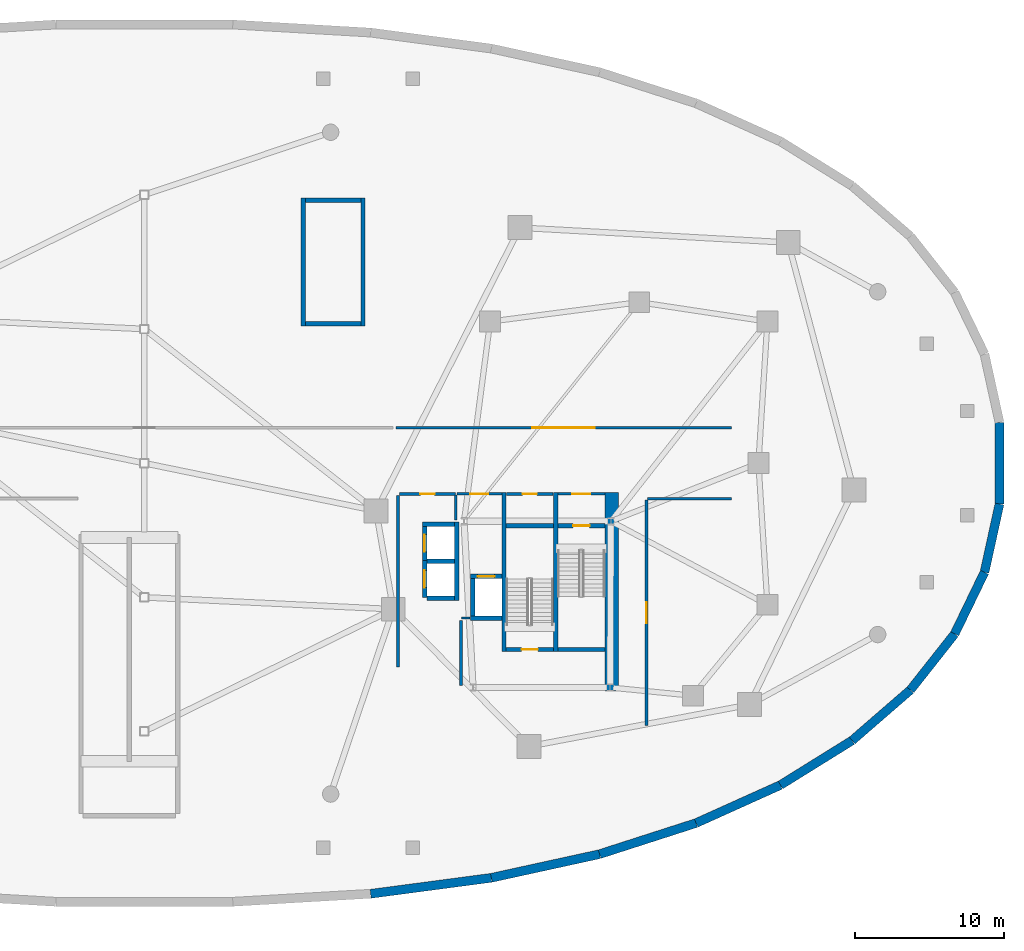
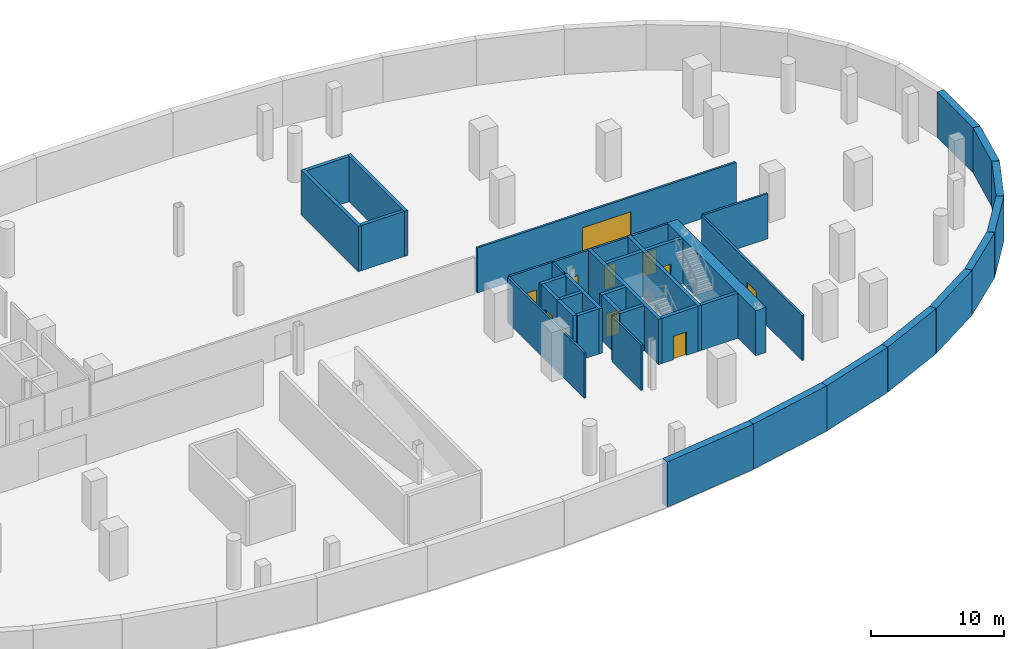
# One storey, part 7 of 10: 41 walls, 11 doors, 11 openings.
"""IFC4 building model written with IfcOpenShell, lengths in metres."""

from ifc_helpers import new_model, si_unit, direction, frame, frame_2d, origin, place, context, subcontext, project, spatial, rectangle, extrude, material, layer, layer_set, type_object, element, fill, save


model = new_model("IFC4")

# Units and contexts
model_context = context("Model", 3, precision=1e-05, world=origin(), true_north=direction((0.0, 1.0)))
body_context = subcontext(model_context, "Body", "Model", "MODEL_VIEW")
ifc_project = project(units=[si_unit("LENGTHUNIT", "METRE"), si_unit("AREAUNIT", "SQUARE_METRE"), si_unit("VOLUMEUNIT", "CUBIC_METRE"), si_unit("PLANEANGLEUNIT", "RADIAN"), si_unit("MASSUNIT", "GRAM", prefix="KILO"), si_unit("THERMODYNAMICTEMPERATUREUNIT", "KELVIN"), si_unit("POWERUNIT", "WATT")], contexts=[model_context])

# Site, building, storey
site_placement = place(None, origin())
site = spatial("IfcSite", under=ifc_project, at=site_placement, CompositionType="ELEMENT")
building_placement = place(site_placement, origin())
building = spatial("IfcBuilding", under=site, at=building_placement, Name="Cundina Bronze Exchange", CompositionType="ELEMENT")
storey_placement = place(building_placement, frame((0.0, 0.0, -4.5)))
storey = spatial("IfcBuildingStorey", under=building, at=storey_placement, Name="B01", CompositionType="ELEMENT", Elevation=-4.5)

# Wall
ifc_material_1 = material(Name="Gypsum Fireboard Partition EI120")
ifc_layer_1 = layer(ifc_material_1, 0.179931640625, Name="Gypsum Fireboard Partition EI120")
ifc_layer_set_1 = layer_set([ifc_layer_1], Name="Gypsum Fireboard Partition EI120")
wall_type_1 = type_object("IfcWallType", Name="WL-COR-180", PredefinedType="PARTITIONING", material=ifc_layer_set_1)
wall_1_placement = place(storey_placement, frame((20.889892578125, -3.800048828125, 0.0), z_axis=(0.0, 0.0, 1.0), x_axis=(0.0, 1.0, 0.0)))
element("IfcWall", 1, at=wall_1_placement, inside=storey, type_object=wall_type_1, Name="B01 E Firefighting Lobby Side Wall", PredefinedType="PARTITIONING", context=body_context, shape_type="SweptSolid", body=[
    extrude(rectangle(XDim=1.650146484375, YDim=0.179931640625, at=frame_2d((0.8251953125, 0.0))), origin(), (0.0, 0.0, 1.0), 4.14990234375),
])

# Wall, opening, door
wall_2_placement = place(storey_placement, frame((20.97998046875, -2.06005859375, 0.0), z_axis=(0.0, 0.0, 1.0), x_axis=(1.0, 0.0, 0.0)))
wall_2 = element("IfcWall", 2, at=wall_2_placement, inside=storey, type_object=wall_type_1, Name="B01 E Firefighting Lobby Exit Wall", PredefinedType="PARTITIONING", context=body_context, shape_type="SweptSolid", body=[
    extrude(rectangle(XDim=3.0, YDim=0.179931640625, at=frame_2d((1.5, 0.0))), origin(), (0.0, 0.0, 1.0), 4.14990234375),
])
opening_1_placement = place(wall_2_placement, frame((0.89990234375, 0.0, 0.0)))
opening_1 = element("IfcOpeningElement", 3, at=opening_1_placement, cuts=wall_2, Name="Opening DF-01", PredefinedType="OPENING", context=body_context, shape_type="SweptSolid", body=[
    extrude(rectangle(XDim=1.199951171875, YDim=2.14990234375, at=frame_2d((0.60009765625, 1.074951171875))), frame((0.0, 0.099853515625, 0.0), z_axis=(0.0, -1.0, 0.0), x_axis=(1.0, 0.0, 0.0)), (0.0, 0.0, 1.0), 0.199951171875),
])
ifc_material_2 = material(Name="Steel ASTM A36 Painted", Category="steel")
door_type_1 = type_object("IfcDoorType", Name="DR-FFL-1200", OperationType="NOTDEFINED", PredefinedType="DOOR", material=ifc_material_2)
door_1_placement = place(opening_1_placement, origin())
door_1 = element("IfcDoor", 4, at=door_1_placement, inside=storey, type_object=door_type_1, Name="B01 E Firefighting Lobby Door", OperationType="SINGLE_SWING_LEFT", OverallHeight=2.14990234375, OverallWidth=1.199951171875, PredefinedType="DOOR", context=body_context, shape_type="SweptSolid", body=[
    extrude(rectangle(XDim=1.199951171875, YDim=2.14990234375, at=frame_2d((0.60009765625, 1.074951171875))), frame((0.0, 0.02490234375, 0.0), z_axis=(0.0, -1.0, 0.0), x_axis=(1.0, 0.0, 0.0)), (0.0, 0.0, 1.0), 0.050048828125),
])
fill(opening_1, door_1)

wall_3_placement = place(storey_placement, frame((27.739990234375, -2.06005859375, 0.0), z_axis=(0.0, 0.0, 1.0), x_axis=(1.0, 0.0, 0.0)))
wall_3 = element("IfcWall", 5, at=wall_3_placement, inside=storey, type_object=wall_type_1, Name="B01 E Stair Vestibule Exit Wall", PredefinedType="PARTITIONING", context=body_context, shape_type="SweptSolid", body=[
    extrude(rectangle(XDim=3.159912109375, YDim=0.179931640625, at=frame_2d((1.580078125, 0.0))), origin(), (0.0, 0.0, 1.0), 4.14990234375),
])
opening_2_placement = place(wall_3_placement, frame((0.97998046875, 0.0, 0.0)))
opening_2 = element("IfcOpeningElement", 6, at=opening_2_placement, cuts=wall_3, Name="Opening DF-01", PredefinedType="OPENING", context=body_context, shape_type="SweptSolid", body=[
    extrude(rectangle(XDim=1.199951171875, YDim=2.14990234375, at=frame_2d((0.60009765625, 1.074951171875))), frame((0.0, 0.099853515625, 0.0), z_axis=(0.0, -1.0, 0.0), x_axis=(1.0, 0.0, 0.0)), (0.0, 0.0, 1.0), 0.199951171875),
])
door_2_placement = place(opening_2_placement, origin())
door_2 = element("IfcDoor", 7, at=door_2_placement, inside=storey, type_object=door_type_1, Name="B01 E Stair Vestibule Door", OperationType="SINGLE_SWING_RIGHT", OverallHeight=2.14990234375, OverallWidth=1.199951171875, PredefinedType="DOOR", context=body_context, shape_type="SweptSolid", body=[
    extrude(rectangle(XDim=1.199951171875, YDim=2.14990234375, at=frame_2d((0.60009765625, 1.074951171875))), frame((0.0, 0.02490234375, 0.0), z_axis=(0.0, -1.0, 0.0), x_axis=(1.0, 0.0, 0.0)), (0.0, 0.0, 1.0), 0.050048828125),
])
fill(opening_2, door_2)

# Wall
wall_4_placement = place(storey_placement, frame((17.02001953125, -13.679931640625, 0.0), z_axis=(0.0, 0.0, 1.0), x_axis=(0.0, 1.0, 0.0)))
element("IfcWall", 8, at=wall_4_placement, inside=storey, type_object=wall_type_1, Name="B01 Interior Partition 006", PredefinedType="PARTITIONING", context=body_context, shape_type="SweptSolid", body=[
    extrude(rectangle(XDim=11.510009765625, YDim=0.179931640625, at=frame_2d((5.7548828125, 0.0))), origin(), (0.0, 0.0, 1.0), 4.14990234375),
])

# Wall, opening, door
wall_5_placement = place(storey_placement, frame((17.1201171875, -2.070068359375, 0.0), z_axis=(0.0, 0.0, 1.0), x_axis=(1.0, 0.0, 0.0)))
wall_5 = element("IfcWall", 9, at=wall_5_placement, inside=storey, type_object=wall_type_1, Name="B01 Interior Partition 007", PredefinedType="PARTITIONING", context=body_context, shape_type="SweptSolid", body=[
    extrude(rectangle(XDim=3.75, YDim=0.179931640625, at=frame_2d((1.875, 0.0))), origin(), (0.0, 0.0, 1.0), 4.14990234375),
])
opening_3_placement = place(wall_5_placement, frame((1.39990234375, 0.0, 0.0)))
opening_3 = element("IfcOpeningElement", 10, at=opening_3_placement, cuts=wall_5, Name="Opening DW-01", PredefinedType="OPENING", context=body_context, shape_type="SweptSolid", body=[
    extrude(rectangle(XDim=0.949951171875, YDim=2.10009765625, at=frame_2d((0.47509765625, 1.050048828125))), frame((0.0, 0.099853515625, 0.0), z_axis=(0.0, -1.0, 0.0), x_axis=(1.0, 0.0, 0.0)), (0.0, 0.0, 1.0), 0.199951171875),
])
ifc_material_3 = material(Name="Solid Andean Oak Timber Grade A", Category="wood")
door_type_2 = type_object("IfcDoorType", Name="DR-WC-950", OperationType="NOTDEFINED", PredefinedType="DOOR", material=ifc_material_3)
door_3_placement = place(opening_3_placement, origin())
door_3 = element("IfcDoor", 11, at=door_3_placement, inside=storey, type_object=door_type_2, Name="B01 Interior Door 007", OperationType="SINGLE_SWING_LEFT", OverallHeight=2.10009765625, OverallWidth=0.949951171875, PredefinedType="DOOR", context=body_context, shape_type="SweptSolid", body=[
    extrude(rectangle(XDim=0.949951171875, YDim=2.10009765625, at=frame_2d((0.47509765625, 1.050048828125))), frame((0.0, 0.02490234375, 0.0), z_axis=(0.0, -1.0, 0.0), x_axis=(1.0, 0.0, 0.0)), (0.0, 0.0, 1.0), 0.050048828125),
])
fill(opening_3, door_3)

# Wall
wall_6_placement = place(storey_placement, frame((21.25, -14.929931640625, 0.0), z_axis=(0.0, 0.0, 1.0), x_axis=(0.0, 1.0, 0.0)))
element("IfcWall", 12, at=wall_6_placement, inside=storey, type_object=wall_type_1, Name="B01 Interior Partition 009", PredefinedType="PARTITIONING", context=body_context, shape_type="SweptSolid", body=[
    extrude(rectangle(XDim=4.35986328125, YDim=0.179931640625, at=frame_2d((2.179931640625, 0.0))), origin(), (0.0, 0.0, 1.0), 4.14990234375),
])

# Wall, opening, door
wall_7_placement = place(storey_placement, frame((24.300048828125, -2.070068359375, 0.0), z_axis=(0.0, 0.0, 1.0), x_axis=(1.0, 0.0, 0.0)))
wall_7 = element("IfcWall", 13, at=wall_7_placement, inside=storey, type_object=wall_type_1, Name="B01 Interior Partition 010", PredefinedType="PARTITIONING", context=body_context, shape_type="SweptSolid", body=[
    extrude(rectangle(XDim=3.119873046875, YDim=0.179931640625, at=frame_2d((1.56005859375, 0.0))), origin(), (0.0, 0.0, 1.0), 4.14990234375),
])
opening_4_placement = place(wall_7_placement, frame((1.0849609375, 0.0, 0.0)))
opening_4 = element("IfcOpeningElement", 14, at=opening_4_placement, cuts=wall_7, Name="Opening DW-01", PredefinedType="OPENING", context=body_context, shape_type="SweptSolid", body=[
    extrude(rectangle(XDim=0.949951171875, YDim=2.10009765625, at=frame_2d((0.47509765625, 1.050048828125))), frame((0.0, 0.099853515625, 0.0), z_axis=(0.0, -1.0, 0.0), x_axis=(1.0, 0.0, 0.0)), (0.0, 0.0, 1.0), 0.199951171875),
])
door_4_placement = place(opening_4_placement, origin())
door_4 = element("IfcDoor", 15, at=door_4_placement, inside=storey, type_object=door_type_2, Name="B01 Interior Door 010", OperationType="SINGLE_SWING_LEFT", OverallHeight=2.10009765625, OverallWidth=0.949951171875, PredefinedType="DOOR", context=body_context, shape_type="SweptSolid", body=[
    extrude(rectangle(XDim=0.949951171875, YDim=2.10009765625, at=frame_2d((0.47509765625, 1.050048828125))), frame((0.0, 0.02490234375, 0.0), z_axis=(0.0, -1.0, 0.0), x_axis=(1.0, 0.0, 0.0)), (0.0, 0.0, 1.0), 0.050048828125),
])
fill(opening_4, door_4)

wall_8_placement = place(storey_placement, frame((33.68994140625, -17.605224609375, 0.0), z_axis=(0.0, 0.0, 1.0), x_axis=(0.0, 1.0, 0.0)))
wall_8 = element("IfcWall", 16, at=wall_8_placement, inside=storey, type_object=wall_type_1, Name="B01 Interior Partition 017", PredefinedType="PARTITIONING", context=body_context, shape_type="SweptSolid", body=[
    extrude(rectangle(XDim=15.145263671875, YDim=0.179931640625, at=frame_2d((7.57275390625, 0.0))), origin(), (0.0, 0.0, 1.0), 4.14990234375),
])
opening_5_placement = place(wall_8_placement, frame((6.87255859375, 0.0, 0.0)))
opening_5 = element("IfcOpeningElement", 17, at=opening_5_placement, cuts=wall_8, Name="Opening DP-01", PredefinedType="OPENING", context=body_context, shape_type="SweptSolid", body=[
    extrude(rectangle(XDim=1.39990234375, YDim=2.199951171875, at=frame_2d((0.699951171875, 1.10009765625))), frame((0.0, 0.099853515625, 0.0), z_axis=(0.0, -1.0, 0.0), x_axis=(1.0, 0.0, 0.0)), (0.0, 0.0, 1.0), 0.199951171875),
])
door_type_3 = type_object("IfcDoorType", Name="DR-PLT-1400", OperationType="NOTDEFINED", PredefinedType="DOOR", material=ifc_material_2)
door_5_placement = place(opening_5_placement, origin())
door_5 = element("IfcDoor", 18, at=door_5_placement, inside=storey, type_object=door_type_3, Name="B01 Interior Door 017", OperationType="SINGLE_SWING_LEFT", OverallHeight=2.199951171875, OverallWidth=1.39990234375, PredefinedType="DOOR", context=body_context, shape_type="SweptSolid", body=[
    extrude(rectangle(XDim=1.39990234375, YDim=2.199951171875, at=frame_2d((0.699951171875, 1.10009765625))), frame((0.0, 0.02490234375, 0.0), z_axis=(0.0, -1.0, 0.0), x_axis=(1.0, 0.0, 0.0)), (0.0, 0.0, 1.0), 0.050048828125),
])
fill(opening_5, door_5)

# Wall
wall_9_placement = place(storey_placement, frame((33.77001953125, -2.3798828125, 0.0), z_axis=(0.0, 0.0, 1.0), x_axis=(1.0, 0.0, 0.0)))
element("IfcWall", 19, at=wall_9_placement, inside=storey, type_object=wall_type_1, Name="B01 Interior Partition 018", PredefinedType="PARTITIONING", context=body_context, shape_type="SweptSolid", body=[
    extrude(rectangle(XDim=5.6083984375, YDim=0.179931640625, at=frame_2d((2.80419921875, 0.0))), origin(), (0.0, 0.0, 1.0), 4.14990234375),
])

# Wall, opening, door
wall_10_placement = place(storey_placement, frame((39.37841796875, 2.3798828125, 0.0), z_axis=(0.0, 0.0, 1.0), x_axis=(-1.0, 0.0, 0.0)))
wall_10 = element("IfcWall", 20, at=wall_10_placement, inside=storey, type_object=wall_type_1, Name="B01 Interior Partition 019", PredefinedType="PARTITIONING", context=body_context, shape_type="SweptSolid", body=[
    extrude(rectangle(XDim=22.50830078125, YDim=0.179931640625, at=frame_2d((11.254150390625, 0.0))), origin(), (0.0, 0.0, 1.0), 4.14990234375),
])
opening_6_placement = place(wall_10_placement, frame((9.154296875, 0.0, 0.0)))
opening_6 = element("IfcOpeningElement", 21, at=opening_6_placement, cuts=wall_10, Name="Opening GT-02", PredefinedType="OPENING", context=body_context, shape_type="SweptSolid", body=[
    extrude(rectangle(XDim=4.199951171875, YDim=2.800048828125, at=frame_2d((2.10009765625, 1.39990234375))), frame((0.0, 0.099853515625, 0.0), z_axis=(0.0, -1.0, 0.0), x_axis=(1.0, 0.0, 0.0)), (0.0, 0.0, 1.0), 0.199951171875),
])
door_type_4 = type_object("IfcDoorType", Name="DR-GAT-SWG4200", OperationType="NOTDEFINED", PredefinedType="GATE", material=ifc_material_2)
door_6_placement = place(opening_6_placement, origin())
door_6 = element("IfcDoor", 22, at=door_6_placement, inside=storey, type_object=door_type_4, Name="B01 Interior Door 019", OperationType="SINGLE_SWING_LEFT", OverallHeight=2.800048828125, OverallWidth=4.199951171875, PredefinedType="GATE", context=body_context, shape_type="SweptSolid", body=[
    extrude(rectangle(XDim=4.199951171875, YDim=2.800048828125, at=frame_2d((2.10009765625, 1.39990234375))), frame((0.0, 0.02490234375, 0.0), z_axis=(0.0, -1.0, 0.0), x_axis=(1.0, 0.0, 0.0)), (0.0, 0.0, 1.0), 0.050048828125),
])
fill(opening_6, door_6)

# Walls
ifc_material_4 = material(Name="Concrete C60/75", Category="concrete")
ifc_layer_2 = layer(ifc_material_4, 0.89990234375, Name="Concrete C60/75", Category="concrete")
ifc_layer_set_2 = layer_set([ifc_layer_2], Name="Concrete C60/75")
wall_type_2 = type_object("IfcWallType", Name="WL-CORE-900", PredefinedType="SHEAR", material=ifc_layer_set_2)
wall_11_placement = place(storey_placement, frame((31.35009765625, -15.300048828125, 0.0), z_axis=(0.0, 0.0, 1.0), x_axis=(0.0, 1.0, 0.0)))
element("IfcWall", 23, at=wall_11_placement, inside=storey, type_object=wall_type_2, Name="B01 E Primary Core Shear Spine Wall", PredefinedType="SHEAR", context=body_context, shape_type="SweptSolid", body=[
    extrude(rectangle(XDim=13.330078125, YDim=0.89990234375, at=frame_2d((6.6650390625, 0.0))), origin(), (0.0, 0.0, 1.0), 4.14990234375),
])
ifc_material_5 = material(Name="Concrete C40/50", Category="concrete")
ifc_layer_3 = layer(ifc_material_5, 0.60009765625, Name="Concrete C40/50", Category="concrete")
ifc_layer_set_3 = layer_set([ifc_layer_3], Name="Concrete C40/50")
wall_type_3 = type_object("IfcWallType", Name="WL-RET-600", PredefinedType="USERDEFINED", material=ifc_layer_set_3)
wall_12_placement = place(storey_placement, frame((15.180908203125, -28.89306640625, 0.0), z_axis=(0.0, 0.0, 1.0), x_axis=(0.991355566156, 0.131202673187, 0.0)))
element("IfcWall", 24, at=wall_12_placement, inside=storey, type_object=wall_type_3, Name="B01 Perimeter Concrete Retaining Wall 35", ObjectType="RETAININGWALL", PredefinedType="USERDEFINED", context=body_context, shape_type="SweptSolid", body=[
    extrude(rectangle(XDim=8.170654296875, YDim=0.60009765625, at=frame_2d((4.08544921875, 0.0))), origin(), (0.0, 0.0, 1.0), 4.14990234375),
])
wall_13_placement = place(storey_placement, frame((23.281005859375, -27.821044921875, 0.0), z_axis=(0.0, 0.0, 1.0), x_axis=(0.976902373216, 0.213686109059, 0.0)))
element("IfcWall", 25, at=wall_13_placement, inside=storey, type_object=wall_type_3, Name="B01 Perimeter Concrete Retaining Wall 36", ObjectType="RETAININGWALL", PredefinedType="USERDEFINED", context=body_context, shape_type="SweptSolid", body=[
    extrude(rectangle(XDim=7.436767578125, YDim=0.60009765625, at=frame_2d((3.71826171875, 0.0))), origin(), (0.0, 0.0, 1.0), 4.14990234375),
])
wall_14_placement = place(storey_placement, frame((30.5458984375, -26.23193359375, 0.0), z_axis=(0.0, 0.0, 1.0), x_axis=(0.951843868052, 0.306583187492, 0.0)))
element("IfcWall", 26, at=wall_14_placement, inside=storey, type_object=wall_type_3, Name="B01 Perimeter Concrete Retaining Wall 37", ObjectType="RETAININGWALL", PredefinedType="USERDEFINED", context=body_context, shape_type="SweptSolid", body=[
    extrude(rectangle(XDim=6.800537109375, YDim=0.60009765625, at=frame_2d((3.400390625, 0.0))), origin(), (0.0, 0.0, 1.0), 4.14990234375),
])
wall_15_placement = place(storey_placement, frame((37.01904296875, -24.14697265625, 0.0), z_axis=(0.0, 0.0, 1.0), x_axis=(0.911643952457, 0.410980904603, 0.0)))
element("IfcWall", 27, at=wall_15_placement, inside=storey, type_object=wall_type_3, Name="B01 Perimeter Concrete Retaining Wall 38", ObjectType="RETAININGWALL", PredefinedType="USERDEFINED", context=body_context, shape_type="SweptSolid", body=[
    extrude(rectangle(XDim=6.20947265625, YDim=0.60009765625, at=frame_2d((3.104736328125, 0.0))), origin(), (0.0, 0.0, 1.0), 4.14990234375),
])
wall_16_placement = place(storey_placement, frame((42.679931640625, -21.594970703125, 0.0), z_axis=(0.0, 0.0, 1.0), x_axis=(0.849299437699, 0.527911417877, 0.0)))
element("IfcWall", 28, at=wall_16_placement, inside=storey, type_object=wall_type_3, Name="B01 Perimeter Concrete Retaining Wall 39", ObjectType="RETAININGWALL", PredefinedType="USERDEFINED", context=body_context, shape_type="SweptSolid", body=[
    extrude(rectangle(XDim=5.66015625, YDim=0.60009765625, at=frame_2d((2.830078125, 0.0))), origin(), (0.0, 0.0, 1.0), 4.14990234375),
])
wall_17_placement = place(storey_placement, frame((47.487060546875, -18.60693359375, 0.0), z_axis=(0.0, 0.0, 1.0), x_axis=(0.755564536906, 0.655074217605, 0.0)))
element("IfcWall", 29, at=wall_17_placement, inside=storey, type_object=wall_type_3, Name="B01 Perimeter Concrete Retaining Wall 40", ObjectType="RETAININGWALL", PredefinedType="USERDEFINED", context=body_context, shape_type="SweptSolid", body=[
    extrude(rectangle(XDim=5.1748046875, YDim=0.60009765625, at=frame_2d((2.58740234375, 0.0))), origin(), (0.0, 0.0, 1.0), 4.14990234375),
])
wall_18_placement = place(storey_placement, frame((51.39697265625, -15.217041015625, 0.0), z_axis=(0.0, 0.0, 1.0), x_axis=(0.619447864054, 0.785037797637, 0.0)))
element("IfcWall", 30, at=wall_18_placement, inside=storey, type_object=wall_type_3, Name="B01 Perimeter Concrete Retaining Wall 41", ObjectType="RETAININGWALL", PredefinedType="USERDEFINED", context=body_context, shape_type="SweptSolid", body=[
    extrude(rectangle(XDim=4.796142578125, YDim=0.60009765625, at=frame_2d((2.39794921875, 0.0))), origin(), (0.0, 0.0, 1.0), 4.14990234375),
])
wall_19_placement = place(storey_placement, frame((54.367919921875, -11.451904296875, 0.0), z_axis=(0.0, 0.0, 1.0), x_axis=(0.435772260249, 0.900056963307, 0.0)))
element("IfcWall", 31, at=wall_19_placement, inside=storey, type_object=wall_type_3, Name="B01 Perimeter Concrete Retaining Wall 42", ObjectType="RETAININGWALL", PredefinedType="USERDEFINED", context=body_context, shape_type="SweptSolid", body=[
    extrude(rectangle(XDim=4.589599609375, YDim=0.60009765625, at=frame_2d((2.294921875, 0.0))), origin(), (0.0, 0.0, 1.0), 4.14990234375),
])
wall_20_placement = place(storey_placement, frame((56.367919921875, -7.321044921875, 0.0), z_axis=(0.0, 0.0, 1.0), x_axis=(0.214510247434, 0.976721738135, 0.0)))
element("IfcWall", 32, at=wall_20_placement, inside=storey, type_object=wall_type_3, Name="B01 Perimeter Concrete Retaining Wall 43", ObjectType="RETAININGWALL", PredefinedType="USERDEFINED", context=body_context, shape_type="SweptSolid", body=[
    extrude(rectangle(XDim=4.690185546875, YDim=0.60009765625, at=frame_2d((2.34521484375, 0.0))), origin(), (0.0, 0.0, 1.0), 4.14990234375),
])
wall_21_placement = place(storey_placement, frame((57.3740234375, -2.739990234375, 0.0), z_axis=(0.0, 0.0, 1.0), x_axis=(0.0, 1.0, 0.0)))
element("IfcWall", 33, at=wall_21_placement, inside=storey, type_object=wall_type_3, Name="B01 Perimeter Concrete Retaining Wall 44", ObjectType="RETAININGWALL", PredefinedType="USERDEFINED", context=body_context, shape_type="SweptSolid", body=[
    extrude(rectangle(XDim=5.47998046875, YDim=0.60009765625, at=frame_2d((2.739990234375, 0.0))), origin(), (0.0, 0.0, 1.0), 4.14990234375),
])
ifc_material_6 = material(Name="Concrete C50/60", Category="concrete")
ifc_layer_4 = layer(ifc_material_6, 0.300048828125, Name="Concrete C50/60", Category="concrete")
ifc_layer_set_4 = layer_set([ifc_layer_4], Name="Concrete C50/60")
wall_type_4 = type_object("IfcWallType", Name="WL-SHFT-300", PredefinedType="SHEAR", material=ifc_layer_set_4)
for number, where, z_axis, x_axis, name in (
    (34, (10.669921875, 9.199951171875, 0.0), (0.0, 0.0, 1.0), (0.0, 1.0, 0.0), "B01 Concourse Stair E West Shaft Wall"),
    (35, (14.669921875, 9.199951171875, 0.0), (0.0, 0.0, 1.0), (0.0, 1.0, 0.0), "B01 Concourse Stair E East Shaft Wall"),
):
    element("IfcWall", number, at=place(storey_placement, frame(where, z_axis=z_axis, x_axis=x_axis)), inside=storey, type_object=wall_type_4, Name=name, PredefinedType="SHEAR", context=body_context, shape_type="SweptSolid", body=[
        extrude(rectangle(XDim=8.60009765625, YDim=0.300048828125, at=frame_2d((4.300048828125, 0.0))), origin(), (0.0, 0.0, 1.0), 4.14990234375),
    ])
for number, where, z_axis, x_axis, name in (
    (36, (10.820068359375, 17.64990234375, 0.0), (0.0, 0.0, 1.0), (1.0, 0.0, 0.0), "B01 Concourse Stair E Landing Wall"),
    (37, (10.820068359375, 9.35009765625, 0.0), (0.0, 0.0, 1.0), (1.0, 0.0, 0.0), "B01 Concourse Stair E Far Shaft Wall"),
):
    element("IfcWall", number, at=place(storey_placement, frame(where, z_axis=z_axis, x_axis=x_axis)), inside=storey, type_object=wall_type_4, Name=name, PredefinedType="SHEAR", context=body_context, shape_type="SweptSolid", body=[
        extrude(rectangle(XDim=3.699951171875, YDim=0.300048828125, at=frame_2d((1.85009765625, 0.0))), origin(), (0.0, 0.0, 1.0), 4.14990234375),
    ])
for number, where, z_axis, x_axis, name in (
    (38, (27.590087890625, -12.64990234375, 0.0), (0.0, 0.0, 1.0), (0.0, 1.0, 0.0), "B01 E Stair Shaft Dividing Shear Wall"),
    (39, (24.1298828125, -12.64990234375, 0.0), (0.0, 0.0, 1.0), (0.0, 1.0, 0.0), "B01 E Stair 2 East Shear Wall"),
):
    element("IfcWall", number, at=place(storey_placement, frame(where, z_axis=z_axis, x_axis=x_axis)), inside=storey, type_object=wall_type_4, Name=name, PredefinedType="SHEAR", context=body_context, shape_type="SweptSolid", body=[
        extrude(rectangle(XDim=10.679931640625, YDim=0.300048828125, at=frame_2d((5.33984375, 0.0))), origin(), (0.0, 0.0, 1.0), 4.14990234375),
    ])

# Wall, opening, door
wall_22_placement = place(storey_placement, frame((27.739990234375, -4.199951171875, 0.0), z_axis=(0.0, 0.0, 1.0), x_axis=(1.0, 0.0, 0.0)))
wall_22 = element("IfcWall", 40, at=wall_22_placement, inside=storey, type_object=wall_type_4, Name="B01 Stair E1 Landing Wall", PredefinedType="SHEAR", context=body_context, shape_type="SweptSolid", body=[
    extrude(rectangle(XDim=3.159912109375, YDim=0.300048828125, at=frame_2d((1.580078125, 0.0))), origin(), (0.0, 0.0, 1.0), 4.14990234375),
])
opening_7_placement = place(wall_22_placement, frame((1.030029296875, 0.0, 0.0)))
opening_7 = element("IfcOpeningElement", 41, at=opening_7_placement, cuts=wall_22, Name="Opening DS-01", PredefinedType="OPENING", context=body_context, shape_type="SweptSolid", body=[
    extrude(rectangle(XDim=1.10009765625, YDim=2.14990234375, at=frame_2d((0.550048828125, 1.074951171875))), frame((0.0, 0.159912109375, 0.0), z_axis=(0.0, -1.0, 0.0), x_axis=(1.0, 0.0, 0.0)), (0.0, 0.0, 1.0), 0.320068359375),
])
door_type_5 = type_object("IfcDoorType", Name="DR-STR-1100", OperationType="NOTDEFINED", PredefinedType="DOOR", material=ifc_material_2)
door_7_placement = place(opening_7_placement, origin())
door_7 = element("IfcDoor", 42, at=door_7_placement, inside=storey, type_object=door_type_5, Name="B01 Smokeproof Stair E1 Door", OperationType="SINGLE_SWING_LEFT", OverallHeight=2.14990234375, OverallWidth=1.10009765625, PredefinedType="DOOR", context=body_context, shape_type="SweptSolid", body=[
    extrude(rectangle(XDim=1.10009765625, YDim=2.14990234375, at=frame_2d((0.550048828125, 1.074951171875))), frame((0.0, 0.02490234375, 0.0), z_axis=(0.0, -1.0, 0.0), x_axis=(1.0, 0.0, 0.0)), (0.0, 0.0, 1.0), 0.050048828125),
])
fill(opening_7, door_7)

# Wall
wall_23_placement = place(storey_placement, frame((27.739990234375, -12.5, 0.0), z_axis=(0.0, 0.0, 1.0), x_axis=(1.0, 0.0, 0.0)))
element("IfcWall", 43, at=wall_23_placement, inside=storey, type_object=wall_type_4, Name="B01 Stair E1 Far Shaft Wall", PredefinedType="SHEAR", context=body_context, shape_type="SweptSolid", body=[
    extrude(rectangle(XDim=3.159912109375, YDim=0.300048828125, at=frame_2d((1.580078125, 0.0))), origin(), (0.0, 0.0, 1.0), 4.14990234375),
])

# Wall, opening, door
wall_24_placement = place(storey_placement, frame((24.280029296875, -12.5, 0.0), z_axis=(0.0, 0.0, 1.0), x_axis=(1.0, 0.0, 0.0)))
wall_24 = element("IfcWall", 44, at=wall_24_placement, inside=storey, type_object=wall_type_4, Name="B01 Stair E2 Landing Wall", PredefinedType="SHEAR", context=body_context, shape_type="SweptSolid", body=[
    extrude(rectangle(XDim=3.159912109375, YDim=0.300048828125, at=frame_2d((1.580078125, 0.0))), origin(), (0.0, 0.0, 1.0), 4.14990234375),
])
opening_8_placement = place(wall_24_placement, frame((1.030029296875, 0.0, 0.0)))
opening_8 = element("IfcOpeningElement", 45, at=opening_8_placement, cuts=wall_24, Name="Opening DS-01", PredefinedType="OPENING", context=body_context, shape_type="SweptSolid", body=[
    extrude(rectangle(XDim=1.10009765625, YDim=2.14990234375, at=frame_2d((0.550048828125, 1.074951171875))), frame((0.0, 0.159912109375, 0.0), z_axis=(0.0, -1.0, 0.0), x_axis=(1.0, 0.0, 0.0)), (0.0, 0.0, 1.0), 0.320068359375),
])
door_8_placement = place(opening_8_placement, origin())
door_8 = element("IfcDoor", 46, at=door_8_placement, inside=storey, type_object=door_type_5, Name="B01 Smokeproof Stair E2 Door", OperationType="SINGLE_SWING_RIGHT", OverallHeight=2.14990234375, OverallWidth=1.10009765625, PredefinedType="DOOR", context=body_context, shape_type="SweptSolid", body=[
    extrude(rectangle(XDim=1.10009765625, YDim=2.14990234375, at=frame_2d((0.550048828125, 1.074951171875))), frame((0.0, 0.02490234375, 0.0), z_axis=(0.0, -1.0, 0.0), x_axis=(1.0, 0.0, 0.0)), (0.0, 0.0, 1.0), 0.050048828125),
])
fill(opening_8, door_8)

# Wall
wall_25_placement = place(storey_placement, frame((24.280029296875, -4.199951171875, 0.0), z_axis=(0.0, 0.0, 1.0), x_axis=(1.0, 0.0, 0.0)))
element("IfcWall", 47, at=wall_25_placement, inside=storey, type_object=wall_type_4, Name="B01 Stair E2 Far Shaft Wall", PredefinedType="SHEAR", context=body_context, shape_type="SweptSolid", body=[
    extrude(rectangle(XDim=3.159912109375, YDim=0.300048828125, at=frame_2d((1.580078125, 0.0))), origin(), (0.0, 0.0, 1.0), 4.14990234375),
])

# Wall, opening, door
wall_26_placement = place(storey_placement, frame((21.8798828125, -7.60009765625, 0.0), z_axis=(0.0, 0.0, 1.0), x_axis=(1.0, 0.0, 0.0)))
wall_26 = element("IfcWall", 48, at=wall_26_placement, inside=storey, type_object=wall_type_4, Name="B01 FFL-E Hoistway Front Wall", PredefinedType="SHEAR", context=body_context, shape_type="SweptSolid", body=[
    extrude(rectangle(XDim=2.10009765625, YDim=0.300048828125, at=frame_2d((1.050048828125, 0.0))), origin(), (0.0, 0.0, 1.0), 4.14990234375),
])
opening_9_placement = place(wall_26_placement, frame((0.47509765625, 0.0, 0.0)))
opening_9 = element("IfcOpeningElement", 49, at=opening_9_placement, cuts=wall_26, Name="Opening LD-01", PredefinedType="OPENING", context=body_context, shape_type="SweptSolid", body=[
    extrude(rectangle(XDim=1.14990234375, YDim=2.199951171875, at=frame_2d((0.574951171875, 1.10009765625))), frame((0.0, 0.159912109375, 0.0), z_axis=(0.0, -1.0, 0.0), x_axis=(1.0, 0.0, 0.0)), (0.0, 0.0, 1.0), 0.320068359375),
])
door_type_6 = type_object("IfcDoorType", Name="DR-LND-1150", OperationType="NOTDEFINED", PredefinedType="TRAPDOOR", material=ifc_material_2)
door_9_placement = place(opening_9_placement, origin())
door_9 = element("IfcDoor", 50, at=door_9_placement, inside=storey, type_object=door_type_6, Name="B01 FFL-E Sliding Landing Door", OperationType="SLIDING_TO_LEFT", OverallHeight=2.199951171875, OverallWidth=1.14990234375, PredefinedType="TRAPDOOR", context=body_context, shape_type="SweptSolid", body=[
    extrude(rectangle(XDim=1.14990234375, YDim=2.199951171875, at=frame_2d((0.574951171875, 1.10009765625))), frame((0.0, 0.02490234375, 0.0), z_axis=(0.0, -1.0, 0.0), x_axis=(1.0, 0.0, 0.0)), (0.0, 0.0, 1.0), 0.050048828125),
])
fill(opening_9, door_9)

# Walls
wall_27_placement = place(storey_placement, frame((21.8798828125, -10.39990234375, 0.0), z_axis=(0.0, 0.0, 1.0), x_axis=(1.0, 0.0, 0.0)))
element("IfcWall", 51, at=wall_27_placement, inside=storey, type_object=wall_type_4, Name="B01 FFL-E Hoistway Back Wall", PredefinedType="SHEAR", context=body_context, shape_type="SweptSolid", body=[
    extrude(rectangle(XDim=2.10009765625, YDim=0.300048828125, at=frame_2d((1.050048828125, 0.0))), origin(), (0.0, 0.0, 1.0), 4.14990234375),
])
wall_28_placement = place(storey_placement, frame((22.030029296875, -10.25, 0.0), z_axis=(0.0, 0.0, 1.0), x_axis=(0.0, 1.0, 0.0)))
element("IfcWall", 52, at=wall_28_placement, inside=storey, type_object=wall_type_4, Name="B01 FFL-E Hoistway Side Wall", PredefinedType="SHEAR", context=body_context, shape_type="SweptSolid", body=[
    extrude(rectangle(XDim=2.5, YDim=0.300048828125, at=frame_2d((1.25, 0.0))), origin(), (0.0, 0.0, 1.0), 4.14990234375),
])
wall_29_placement = place(storey_placement, frame((20.949951171875, -9.199951171875, 0.0), z_axis=(0.0, 0.0, 1.0), x_axis=(0.0, 1.0, 0.0)))
element("IfcWall", 53, at=wall_29_placement, inside=storey, type_object=wall_type_4, Name="B01 E Passenger Bank Hoistway Back Wall", PredefinedType="SHEAR", context=body_context, shape_type="SweptSolid", body=[
    extrude(rectangle(XDim=5.25, YDim=0.300048828125, at=frame_2d((2.625, 0.0))), origin(), (0.0, 0.0, 1.0), 4.14990234375),
])
wall_30_placement = place(storey_placement, frame((18.949951171875, -9.050048828125, 0.0), z_axis=(0.0, 0.0, 1.0), x_axis=(1.0, 0.0, 0.0)))
element("IfcWall", 54, at=wall_30_placement, inside=storey, type_object=wall_type_4, Name="B01 E Passenger Bank South Cap Wall", PredefinedType="SHEAR", context=body_context, shape_type="SweptSolid", body=[
    extrude(rectangle(XDim=1.85009765625, YDim=0.300048828125, at=frame_2d((0.925048828125, 0.0))), origin(), (0.0, 0.0, 1.0), 4.14990234375),
])
wall_31_placement = place(storey_placement, frame((18.64990234375, -4.10009765625, 0.0), z_axis=(0.0, 0.0, 1.0), x_axis=(1.0, 0.0, 0.0)))
element("IfcWall", 55, at=wall_31_placement, inside=storey, type_object=wall_type_4, Name="B01 E Passenger Bank North Cap Wall", PredefinedType="SHEAR", context=body_context, shape_type="SweptSolid", body=[
    extrude(rectangle(XDim=2.150146484375, YDim=0.300048828125, at=frame_2d((1.0751953125, 0.0))), origin(), (0.0, 0.0, 1.0), 4.14990234375),
])
wall_32_placement = place(storey_placement, frame((18.949951171875, -6.574951171875, 0.0), z_axis=(0.0, 0.0, 1.0), x_axis=(1.0, 0.0, 0.0)))
element("IfcWall", 56, at=wall_32_placement, inside=storey, type_object=wall_type_4, Name="B01 E Passenger Hoistway Divider 1", PredefinedType="SHEAR", context=body_context, shape_type="SweptSolid", body=[
    extrude(rectangle(XDim=1.85009765625, YDim=0.300048828125, at=frame_2d((0.925048828125, 0.0))), origin(), (0.0, 0.0, 1.0), 4.14990234375),
])

# Wall, opening, door
wall_33_placement = place(storey_placement, frame((18.800048828125, -9.02001953125, 0.0), z_axis=(0.0, 0.0, 1.0), x_axis=(0.0, 1.0, 0.0)))
wall_33 = element("IfcWall", 57, at=wall_33_placement, inside=storey, type_object=wall_type_4, Name="B01 PL-E1 Hoistway Front Wall", PredefinedType="SHEAR", context=body_context, shape_type="SweptSolid", body=[
    extrude(rectangle(XDim=2.489990234375, YDim=0.300048828125, at=frame_2d((1.2451171875, 0.0))), origin(), (0.0, 0.0, 1.0), 4.14990234375),
])
opening_10_placement = place(wall_33_placement, frame((0.669921875, 0.0, 0.0)))
opening_10 = element("IfcOpeningElement", 58, at=opening_10_placement, cuts=wall_33, Name="Opening LD-01", PredefinedType="OPENING", context=body_context, shape_type="SweptSolid", body=[
    extrude(rectangle(XDim=1.14990234375, YDim=2.199951171875, at=frame_2d((0.574951171875, 1.10009765625))), frame((0.0, 0.159912109375, 0.0), z_axis=(0.0, -1.0, 0.0), x_axis=(1.0, 0.0, 0.0)), (0.0, 0.0, 1.0), 0.320068359375),
])
door_10_placement = place(opening_10_placement, origin())
door_10 = element("IfcDoor", 59, at=door_10_placement, inside=storey, type_object=door_type_6, Name="B01 PL-E1 Sliding Landing Door", OperationType="SLIDING_TO_LEFT", OverallHeight=2.199951171875, OverallWidth=1.14990234375, PredefinedType="TRAPDOOR", context=body_context, shape_type="SweptSolid", body=[
    extrude(rectangle(XDim=1.14990234375, YDim=2.199951171875, at=frame_2d((0.574951171875, 1.10009765625))), frame((0.0, 0.02490234375, 0.0), z_axis=(0.0, -1.0, 0.0), x_axis=(1.0, 0.0, 0.0)), (0.0, 0.0, 1.0), 0.050048828125),
])
fill(opening_10, door_10)

wall_34_placement = place(storey_placement, frame((18.800048828125, -6.6201171875, 0.0), z_axis=(0.0, 0.0, 1.0), x_axis=(0.0, 1.0, 0.0)))
wall_34 = element("IfcWall", 60, at=wall_34_placement, inside=storey, type_object=wall_type_4, Name="B01 PL-E2 Hoistway Front Wall", PredefinedType="SHEAR", context=body_context, shape_type="SweptSolid", body=[
    extrude(rectangle(XDim=2.490234375, YDim=0.300048828125, at=frame_2d((1.2451171875, 0.0))), origin(), (0.0, 0.0, 1.0), 4.14990234375),
])
opening_11_placement = place(wall_34_placement, frame((0.669921875, 0.0, 0.0)))
opening_11 = element("IfcOpeningElement", 61, at=opening_11_placement, cuts=wall_34, Name="Opening LD-01", PredefinedType="OPENING", context=body_context, shape_type="SweptSolid", body=[
    extrude(rectangle(XDim=1.14990234375, YDim=2.199951171875, at=frame_2d((0.574951171875, 1.10009765625))), frame((0.0, 0.159912109375, 0.0), z_axis=(0.0, -1.0, 0.0), x_axis=(1.0, 0.0, 0.0)), (0.0, 0.0, 1.0), 0.320068359375),
])
door_11_placement = place(opening_11_placement, origin())
door_11 = element("IfcDoor", 62, at=door_11_placement, inside=storey, type_object=door_type_6, Name="B01 PL-E2 Sliding Landing Door", OperationType="SLIDING_TO_LEFT", OverallHeight=2.199951171875, OverallWidth=1.14990234375, PredefinedType="TRAPDOOR", context=body_context, shape_type="SweptSolid", body=[
    extrude(rectangle(XDim=1.14990234375, YDim=2.199951171875, at=frame_2d((0.574951171875, 1.10009765625))), frame((0.0, 0.02490234375, 0.0), z_axis=(0.0, -1.0, 0.0), x_axis=(1.0, 0.0, 0.0)), (0.0, 0.0, 1.0), 0.050048828125),
])
fill(opening_11, door_11)

# Wall
ifc_material_7 = material(Name="Moisture-Resistant Masonry Block Grade M15", Category="masonry")
ifc_layer_5 = layer(ifc_material_7, 0.139892578125, Name="Moisture-Resistant Masonry Block Grade M15", Category="masonry")
ifc_layer_set_5 = layer_set([ifc_layer_5], Name="Moisture-Resistant Masonry Block Grade M15")
wall_type_5 = type_object("IfcWallType", Name="WL-WET-140", PredefinedType="PARTITIONING", material=ifc_layer_set_5)
wall_35_placement = place(storey_placement, frame((21.27001953125, -10.39990234375, 0.0), z_axis=(0.0, 0.0, 1.0), x_axis=(1.0, 0.0, 0.0)))
element("IfcWall", 63, at=wall_35_placement, inside=storey, type_object=wall_type_5, Name="B01 Interior Partition 008", PredefinedType="PARTITIONING", context=body_context, shape_type="SweptSolid", body=[
    extrude(rectangle(XDim=0.590087890625, YDim=0.139892578125, at=frame_2d((0.294921875, 0.0))), origin(), (0.0, 0.0, 1.0), 4.14990234375),
])

save(model, "model.ifc")
